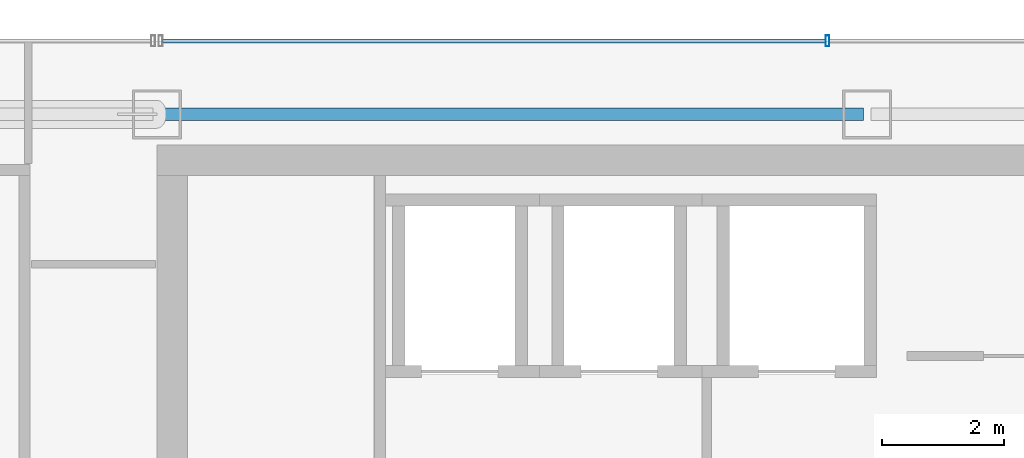
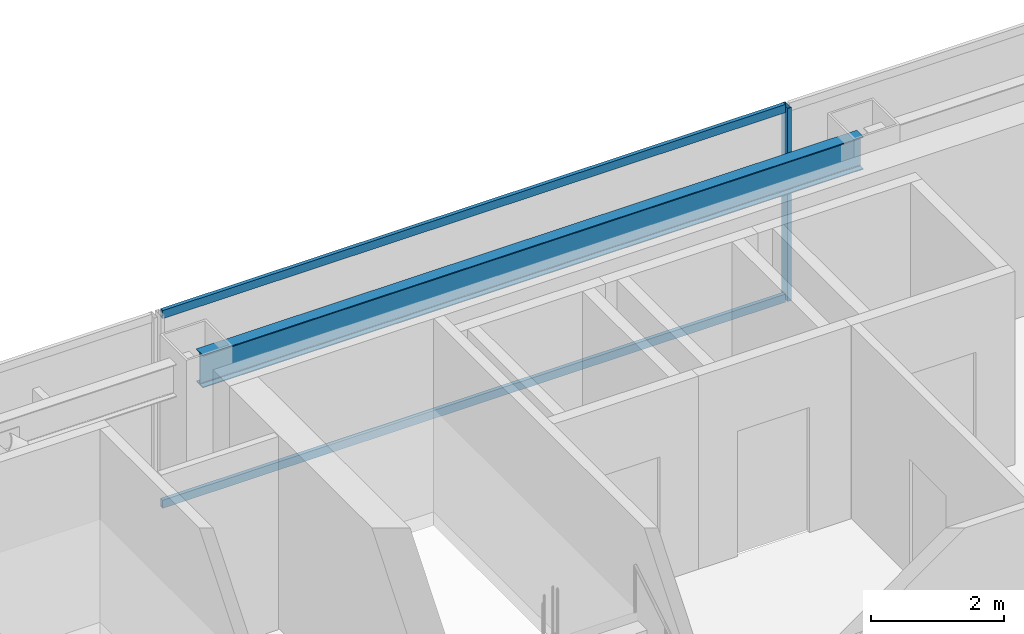
# One storey, part 24 of 35: 3 members, 1 beam, 1 element without a shape of its own.
"""IFC4 building model written with IfcOpenShell, lengths in metres."""

from ifc_helpers import new_model, si_unit, direction, frame, origin, origin_2d, place, context, subcontext, project, spatial, hollow_rectangle, i_section, extrude, material, material_profile, profile_set, type_object, element, aggregate, save


model = new_model("IFC4")

# Units and contexts
model_context = context("Model", 3, precision=1e-05, world=origin(), true_north=direction((0.0, 1.0)))
body_context = subcontext(model_context, "Body", "Model", "MODEL_VIEW")
ifc_project = project(units=[si_unit("LENGTHUNIT", "METRE"), si_unit("AREAUNIT", "SQUARE_METRE"), si_unit("VOLUMEUNIT", "CUBIC_METRE"), si_unit("PLANEANGLEUNIT", "RADIAN"), si_unit("MASSUNIT", "GRAM", prefix="KILO")], contexts=[model_context])

# Site, building, storey
site_placement = place(None, origin())
site = spatial("IfcSite", under=ifc_project, at=site_placement, CompositionType="ELEMENT")
building_placement = place(site_placement, origin())
building = spatial("IfcBuilding", under=site, at=building_placement, Name="Saevonmaru Cultural Tower", CompositionType="ELEMENT")
storey_placement = place(building_placement, frame((0.0, 0.0, 190.39990234375)))
storey = spatial("IfcBuildingStorey", under=building, at=storey_placement, Name="L43", CompositionType="ELEMENT", Elevation=190.39990234375)

# Beam
ifc_material_1 = material(Name="Steel SM355", Category="steel")
ifc_material_profile_1 = material_profile(ifc_material_1, i_section(OverallWidth=0.199951171875, OverallDepth=0.60009765625, WebThickness=0.010986328125, FlangeThickness=0.01708984375, FilletRadius=0.02197265625, at=origin_2d()), Name="H-600x200x11x17")
ifc_profile_set_1 = profile_set([ifc_material_profile_1], Name="Steel SM355")
beam_type = type_object("IfcBeamType", Name="BM-SP-H600", PredefinedType="SPANDREL", material=ifc_profile_set_1)
beam_placement = place(storey_placement, frame((13.659912109375, 54.800048828125, 3.25), z_axis=(1.0, 0.0, 0.0), x_axis=(0.0, 1.0, 0.0)))
element("IfcBeam", 1, at=beam_placement, inside=storey, type_object=beam_type, Name="L43 North Spine Girder 2", PredefinedType="SPANDREL", context=body_context, shape_type="SweptSolid", body=[
    extrude(i_section(OverallWidth=0.199951171875, OverallDepth=0.60009765625, WebThickness=0.010986328125, FlangeThickness=0.01708984375, FilletRadius=0.02197265625, at=origin_2d()), origin(), (0.0, 0.0, 1.0), 11.47998046875),
])

# Curtain wall, members
ifc_material_2 = material(Name="Satin Bronze Anodised Aluminium", Category="aluminium")
curtain_wall_type = type_object("IfcCurtainWallType", Name="CW-TYP-B", PredefinedType="NOTDEFINED", material=ifc_material_2)
curtain_wall_placement = place(storey_placement, origin())
curtain_wall = element("IfcCurtainWall", 2, at=curtain_wall_placement, inside=storey, type_object=curtain_wall_type, Name="L43 North Spine Unitised Curtain Wall E10B", PredefinedType="NOTDEFINED")
ifc_material_profile_2 = material_profile(ifc_material_2, hollow_rectangle(XDim=0.06494140625, YDim=0.179931640625, WallThickness=0.00390625, at=origin_2d()), Name="ALU-MULL-180x65x4")
ifc_profile_set_2 = profile_set([ifc_material_profile_2], Name="Satin Bronze Anodised Aluminium")
member_type_1 = type_object("IfcMemberType", Name="ML-CW-180x65", PredefinedType="MULLION", material=ifc_profile_set_2)
member_1_placement = place(storey_placement, frame((24.55322265625, 56.0, 0.0), z_axis=(0.0, 0.0, 1.0), x_axis=(-1.0, 0.0, 0.0)))
member_1 = element("IfcMember", 3, at=member_1_placement, type_object=member_type_1, Name="CW-TW-L43-E10B mullion 3", PredefinedType="MULLION", context=body_context, shape_type="SweptSolid", body=[
    extrude(hollow_rectangle(XDim=0.06494140625, YDim=0.179931640625, WallThickness=0.00390625, at=origin_2d()), origin(), (0.0, 0.0, 1.0), 3.550048828125),
])
ifc_material_profile_3 = material_profile(ifc_material_2, hollow_rectangle(XDim=0.06494140625, YDim=0.14990234375, WallThickness=0.00390625, at=origin_2d()), Name="ALU-TRAN-150x65x4")
ifc_profile_set_3 = profile_set([ifc_material_profile_3], Name="Satin Bronze Anodised Aluminium")
member_type_2 = type_object("IfcMemberType", Name="TR-CW-150x65", PredefinedType="USERDEFINED", material=ifc_profile_set_3)
member_2_placement = place(storey_placement, frame((24.520751953125, 56.0, 0.03271484375), z_axis=(-1.0, 0.0, 0.0), x_axis=(0.0, -1.0, 0.0)))
member_2 = element("IfcMember", 4, at=member_2_placement, type_object=member_type_2, Name="CW-TW-L43-E10B transom 3.1", ObjectType="TRANSOM", PredefinedType="USERDEFINED", context=body_context, shape_type="SweptSolid", body=[
    extrude(hollow_rectangle(XDim=0.06494140625, YDim=0.14990234375, WallThickness=0.00390625, at=origin_2d()), origin(), (0.0, 0.0, 1.0), 10.828369140625),
])
member_3_placement = place(storey_placement, frame((24.520751953125, 56.0, 3.517578125), z_axis=(-1.0, 0.0, 0.0), x_axis=(0.0, -1.0, 0.0)))
member_3 = element("IfcMember", 5, at=member_3_placement, type_object=member_type_2, Name="CW-TW-L43-E10B transom 3.2", ObjectType="TRANSOM", PredefinedType="USERDEFINED", context=body_context, shape_type="SweptSolid", body=[
    extrude(hollow_rectangle(XDim=0.06494140625, YDim=0.14990234375, WallThickness=0.00390625, at=origin_2d()), origin(), (0.0, 0.0, 1.0), 10.828369140625),
])
aggregate(curtain_wall, [member_1, member_2, member_3])

save(model, "model.ifc")
